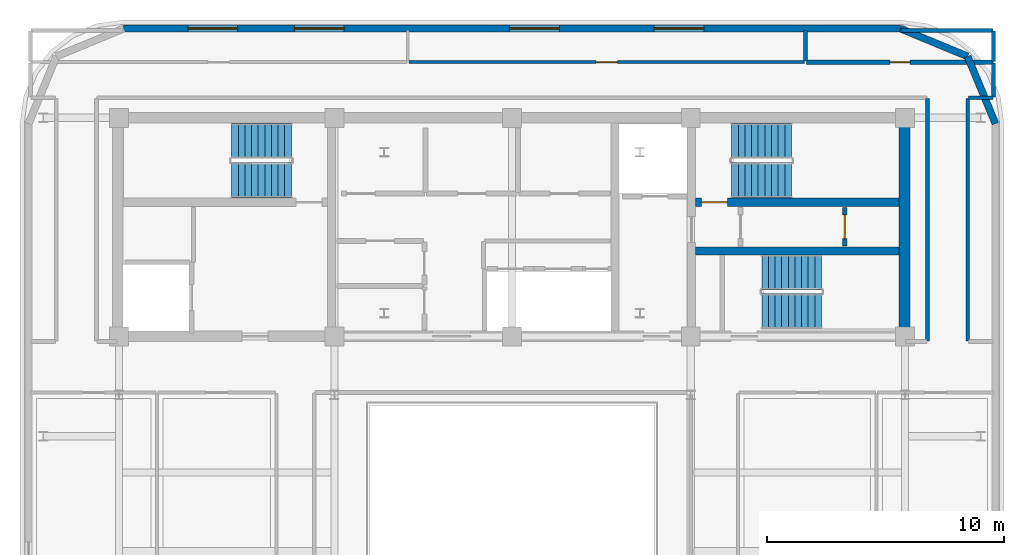
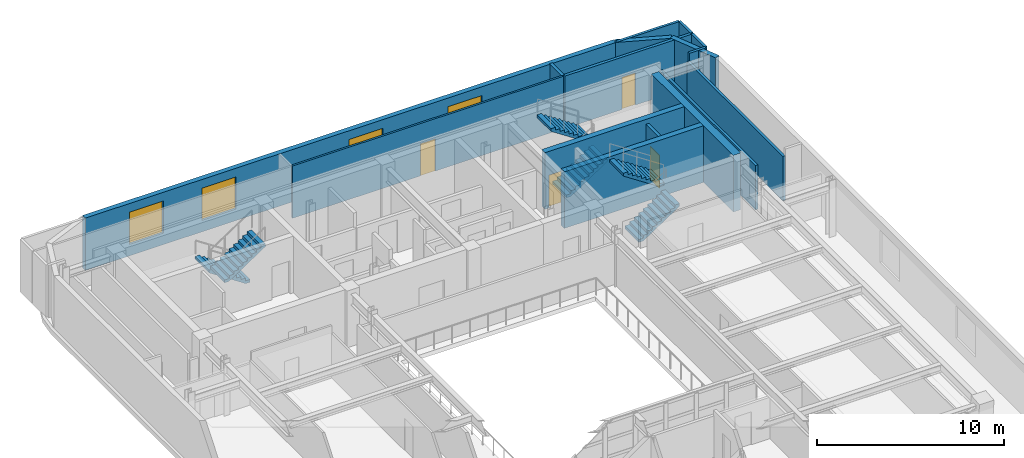
# One storey, part 9 of 12: 16 walls, 6 stair flights, 4 doors, 4 windows, 8 openings, 3 elements without a shape of their own.
"""IFC4 building model written with IfcOpenShell, lengths in metres."""

from ifc_helpers import new_model, si_unit, direction, frame, frame_2d, origin, place, context, subcontext, project, spatial, polyline, rectangle, outline, extrude, material, layer, layer_set, type_object, element, fill, aggregate, save


model = new_model("IFC4")

# Units and contexts
model_context = context("Model", 3, precision=1e-05, world=origin(), true_north=direction((0.0, 1.0)))
body_context = subcontext(model_context, "Body", "Model", "MODEL_VIEW")
ifc_project = project(units=[si_unit("LENGTHUNIT", "METRE"), si_unit("AREAUNIT", "SQUARE_METRE"), si_unit("VOLUMEUNIT", "CUBIC_METRE"), si_unit("PLANEANGLEUNIT", "RADIAN"), si_unit("MASSUNIT", "GRAM", prefix="KILO")], contexts=[model_context])

# Site, building, storey
site_placement = place(None, origin())
site = spatial("IfcSite", under=ifc_project, at=site_placement, CompositionType="ELEMENT")
building_placement = place(site_placement, origin())
building = spatial("IfcBuilding", under=site, at=building_placement, Name="Zarnavel Station Tower", CompositionType="ELEMENT")
storey_placement = place(building_placement, frame((0.0, 0.0, 265.800048828125)))
storey = spatial("IfcBuildingStorey", under=building, at=storey_placement, Name="L72", CompositionType="ELEMENT", Elevation=265.800048828125)

# Wall, opening, door
ifc_material_1 = material(Name="Concrete C50/60", Category="concrete")
ifc_layer_1 = layer(ifc_material_1, 0.35009765625)
ifc_layer_set_1 = layer_set([ifc_layer_1], Name="CW_350")
wall_type_1 = type_object("IfcWallType", Name="CW_350", PredefinedType="SHEAR", material=ifc_layer_set_1)
wall_1_placement = place(storey_placement, frame((45.155029296875, 33.47998046875, 0.0), z_axis=(0.0, 0.0, 1.0), x_axis=(-1.0, 0.0, 0.0)))
wall_1 = element("IfcWall", 1, at=wall_1_placement, inside=storey, type_object=wall_type_1, Name="L72 Rear Core Shear Wall DIV-H2", PredefinedType="SHEAR", context=body_context, shape_type="SweptSolid", body=[
    extrude(rectangle(XDim=8.60009765625, YDim=0.35009765625, at=frame_2d((4.300048828125, 0.0))), origin(), (0.0, 0.0, 1.0), 3.699951171875),
])
opening_1_placement = place(wall_1_placement, frame((7.2548828125, 0.0, 0.0)))
opening_1 = element("IfcOpeningElement", 2, at=opening_1_placement, cuts=wall_1, Name="Opening FD01", PredefinedType="OPENING", context=body_context, shape_type="SweptSolid", body=[
    extrude(rectangle(XDim=1.10009765625, YDim=2.14990234375, at=frame_2d((0.550048828125, 1.074951171875))), frame((0.0, 0.18505859375, 0.0), z_axis=(0.0, -1.0, 0.0), x_axis=(1.0, 0.0, 0.0)), (0.0, 0.0, 1.0), 0.3701171875),
])
ifc_material_2 = material(Name="Painted Galvanised Steel and Hardwood Leaf", Category="steel")
door_type_1 = type_object("IfcDoorType", Name="ID_STAIR_1100", OperationType="NOTDEFINED", PredefinedType="DOOR", material=ifc_material_2)
door_1_placement = place(opening_1_placement, origin())
door_1 = element("IfcDoor", 3, at=door_1_placement, inside=storey, type_object=door_type_1, Name="L72 Stair ST2 Lobby Fire Door", OperationType="SINGLE_SWING_RIGHT", OverallHeight=2.14990234375, OverallWidth=1.10009765625, PredefinedType="DOOR", context=body_context, shape_type="SweptSolid", body=[
    extrude(rectangle(XDim=1.10009765625, YDim=2.14990234375, at=frame_2d((0.550048828125, 1.074951171875))), frame((0.0, 0.02490234375, 0.0), z_axis=(0.0, -1.0, 0.0), x_axis=(1.0, 0.0, 0.0)), (0.0, 0.0, 1.0), 0.050048828125),
])
fill(opening_1, door_1)

# Walls
wall_2_placement = place(storey_placement, frame((36.554931640625, 31.419921875, 0.0), z_axis=(0.0, 0.0, 1.0), x_axis=(1.0, 0.0, 0.0)))
element("IfcWall", 4, at=wall_2_placement, inside=storey, type_object=wall_type_1, Name="L72 Rear Core Shear Wall DIV-H3", PredefinedType="SHEAR", context=body_context, shape_type="SweptSolid", body=[
    extrude(rectangle(XDim=8.60009765625, YDim=0.35009765625, at=frame_2d((4.300048828125, 0.0))), origin(), (0.0, 0.0, 1.0), 3.699951171875),
])
ifc_material_3 = material(Name="Concrete C50/60", Category="concrete")
ifc_layer_2 = layer(ifc_material_3, 0.449951171875)
ifc_layer_set_2 = layer_set([ifc_layer_2], Name="CW_450")
wall_type_2 = type_object("IfcWallType", Name="CW_450", PredefinedType="SHEAR", material=ifc_layer_set_2)
wall_3_placement = place(storey_placement, frame((45.3798828125, 28.044921875, 0.0), z_axis=(0.0, 0.0, 1.0), x_axis=(0.0, 1.0, 0.0)))
element("IfcWall", 5, at=wall_3_placement, inside=storey, type_object=wall_type_2, Name="L72 Rear Core Shear Wall E", PredefinedType="SHEAR", context=body_context, shape_type="SweptSolid", body=[
    extrude(rectangle(XDim=8.780029296875, YDim=0.449951171875, at=frame_2d((4.39013671875, 0.0))), origin(), (0.0, 0.0, 1.0), 3.699951171875),
])
ifc_material_4 = material(Name="Precast concrete C45/55 (Dark Basalt Finish)", Category="masonry")
ifc_layer_3 = layer(ifc_material_4, 0.300048828125)
ifc_layer_set_3 = layer_set([ifc_layer_3], Name="EW_BASALT_300")
wall_type_3 = type_object("IfcWallType", Name="EW_BASALT_300", PredefinedType="SOLIDWALL", material=ifc_layer_set_3)
for number, where, z_axis, x_axis, name in (
    (6, (48.04248046875, 39.642578125, 0.0), (0.0, 0.0, 1.0), (0.382704529509, -0.923870793506, 0.0), "L72 Exterior Basalt Masonry Frame Wall 04"),
    (7, (45.199951171875, 40.820068359375, 0.0), (0.0, 0.0, 1.0), (0.923870793506, -0.382704529509, 0.0), "L72 Exterior Basalt Masonry Frame Wall 05"),
):
    element("IfcWall", number, at=place(storey_placement, frame(where, z_axis=z_axis, x_axis=x_axis)), inside=storey, type_object=wall_type_3, Name=name, PredefinedType="SOLIDWALL", context=body_context, shape_type="SweptSolid", body=[
        extrude(rectangle(XDim=3.07666015625, YDim=0.300048828125, at=frame_2d((1.538330078125, 0.0))), origin(), (0.0, 0.0, 1.0), 3.419921875),
    ])

# Wall, openings, windows
wall_4_placement = place(storey_placement, frame((12.39990234375, 40.820068359375, 0.0), z_axis=(0.0, 0.0, 1.0), x_axis=(1.0, 0.0, 0.0)))
wall_4 = element("IfcWall", 8, at=wall_4_placement, inside=storey, type_object=wall_type_3, Name="L72 Exterior Basalt Masonry Frame Wall 06", PredefinedType="SOLIDWALL", context=body_context, shape_type="SweptSolid", body=[
    extrude(rectangle(XDim=32.800048828125, YDim=0.300048828125, at=frame_2d((16.39990234375, 0.0))), origin(), (0.0, 0.0, 1.0), 3.419921875),
])
opening_2_placement = place(wall_4_placement, frame((2.71337890625, 0.0, 0.75)))
opening_2 = element("IfcOpeningElement", 9, at=opening_2_placement, cuts=wall_4, Name="Opening WN05", PredefinedType="OPENING", context=body_context, shape_type="SweptSolid", body=[
    extrude(rectangle(XDim=2.10009765625, YDim=2.10009765625, at=frame_2d((1.050048828125, 1.050048828125))), frame((0.0, 0.159912109375, 0.0), z_axis=(0.0, -1.0, 0.0), x_axis=(1.0, 0.0, 0.0)), (0.0, 0.0, 1.0), 0.320068359375),
])
opening_3_placement = place(wall_4_placement, frame((7.206787109375, 0.0, 0.75)))
opening_3 = element("IfcOpeningElement", 10, at=opening_3_placement, cuts=wall_4, Name="Opening WN05", PredefinedType="OPENING", context=body_context, shape_type="SweptSolid", body=[
    extrude(rectangle(XDim=2.10009765625, YDim=2.10009765625, at=frame_2d((1.050048828125, 1.050048828125))), frame((0.0, 0.159912109375, 0.0), z_axis=(0.0, -1.0, 0.0), x_axis=(1.0, 0.0, 0.0)), (0.0, 0.0, 1.0), 0.320068359375),
])
opening_4_placement = place(wall_4_placement, frame((16.300048828125, 0.0, 0.75)))
opening_4 = element("IfcOpeningElement", 11, at=opening_4_placement, cuts=wall_4, Name="Opening WN05", PredefinedType="OPENING", context=body_context, shape_type="SweptSolid", body=[
    extrude(rectangle(XDim=2.10009765625, YDim=2.10009765625, at=frame_2d((1.050048828125, 1.050048828125))), frame((0.0, 0.159912109375, 0.0), z_axis=(0.0, -1.0, 0.0), x_axis=(1.0, 0.0, 0.0)), (0.0, 0.0, 1.0), 0.320068359375),
])
opening_5_placement = place(wall_4_placement, frame((22.39990234375, 0.0, 0.75)))
opening_5 = element("IfcOpeningElement", 12, at=opening_5_placement, cuts=wall_4, Name="Opening WN05", PredefinedType="OPENING", context=body_context, shape_type="SweptSolid", body=[
    extrude(rectangle(XDim=2.10009765625, YDim=2.10009765625, at=frame_2d((1.050048828125, 1.050048828125))), frame((0.0, 0.159912109375, 0.0), z_axis=(0.0, -1.0, 0.0), x_axis=(1.0, 0.0, 0.0)), (0.0, 0.0, 1.0), 0.320068359375),
])
ifc_material_5 = material(Name="Thermally Broken Black Aluminium and Low-E Dark Glass", Category="aluminium")
window_type = type_object("IfcWindowType", Name="WN_2100x2100", PartitioningType="TRIPLE_PANEL_VERTICAL", PredefinedType="WINDOW", material=ifc_material_5)
window_1_placement = place(opening_2_placement, origin())
window_1 = element("IfcWindow", 13, at=window_1_placement, inside=storey, type_object=window_type, Name="L72 Recessed Facade Window 01", OverallHeight=2.10009765625, OverallWidth=2.10009765625, PartitioningType="SINGLE_PANEL", PredefinedType="WINDOW", context=body_context, shape_type="SweptSolid", body=[
    extrude(rectangle(XDim=2.10009765625, YDim=2.10009765625, at=frame_2d((1.050048828125, 1.050048828125))), frame((0.0, 0.030029296875, 0.0), z_axis=(0.0, -1.0, 0.0), x_axis=(1.0, 0.0, 0.0)), (0.0, 0.0, 1.0), 0.06005859375),
])
fill(opening_2, window_1)
window_2_placement = place(opening_3_placement, origin())
window_2 = element("IfcWindow", 14, at=window_2_placement, inside=storey, type_object=window_type, Name="L72 Recessed Facade Window 02", OverallHeight=2.10009765625, OverallWidth=2.10009765625, PartitioningType="SINGLE_PANEL", PredefinedType="WINDOW", context=body_context, shape_type="SweptSolid", body=[
    extrude(rectangle(XDim=2.10009765625, YDim=2.10009765625, at=frame_2d((1.050048828125, 1.050048828125))), frame((0.0, 0.030029296875, 0.0), z_axis=(0.0, -1.0, 0.0), x_axis=(1.0, 0.0, 0.0)), (0.0, 0.0, 1.0), 0.06005859375),
])
fill(opening_3, window_2)
window_3_placement = place(opening_4_placement, origin())
window_3 = element("IfcWindow", 15, at=window_3_placement, inside=storey, type_object=window_type, Name="L72 Recessed Facade Window 03", OverallHeight=2.10009765625, OverallWidth=2.10009765625, PartitioningType="SINGLE_PANEL", PredefinedType="WINDOW", context=body_context, shape_type="SweptSolid", body=[
    extrude(rectangle(XDim=2.10009765625, YDim=2.10009765625, at=frame_2d((1.050048828125, 1.050048828125))), frame((0.0, 0.030029296875, 0.0), z_axis=(0.0, -1.0, 0.0), x_axis=(1.0, 0.0, 0.0)), (0.0, 0.0, 1.0), 0.06005859375),
])
fill(opening_4, window_3)
window_4_placement = place(opening_5_placement, origin())
window_4 = element("IfcWindow", 16, at=window_4_placement, inside=storey, type_object=window_type, Name="L72 Recessed Facade Window 04", OverallHeight=2.10009765625, OverallWidth=2.10009765625, PartitioningType="SINGLE_PANEL", PredefinedType="WINDOW", context=body_context, shape_type="SweptSolid", body=[
    extrude(rectangle(XDim=2.10009765625, YDim=2.10009765625, at=frame_2d((1.050048828125, 1.050048828125))), frame((0.0, 0.030029296875, 0.0), z_axis=(0.0, -1.0, 0.0), x_axis=(1.0, 0.0, 0.0)), (0.0, 0.0, 1.0), 0.06005859375),
])
fill(opening_5, window_4)

# Walls
ifc_material_6 = material(Name="Gypsum Twin-Stud Acoustic Fire Partition", Category="concrete")
ifc_layer_4 = layer(ifc_material_6, 0.159912109375)
ifc_layer_set_4 = layer_set([ifc_layer_4], Name="PT_DEMISE_160")
wall_type_4 = type_object("IfcWallType", Name="PT_DEMISE_160", PredefinedType="PARTITIONING", material=ifc_layer_set_4)
for number, where, z_axis, x_axis, name in (
    (17, (46.35009765625, 27.6298828125, 0.0), (0.0, 0.0, 1.0), (0.0, 1.0, 0.0), "L72 Enclosure Wall COR-E"),
    (18, (48.050048828125, 27.6298828125, 0.0), (0.0, 0.0, 1.0), (0.0, 1.0, 0.0), "L72 Enclosure Wall COR-E"),
):
    element("IfcWall", number, at=place(storey_placement, frame(where, z_axis=z_axis, x_axis=x_axis)), inside=storey, type_object=wall_type_4, Name=name, PredefinedType="PARTITIONING", context=body_context, shape_type="SweptSolid", body=[
        extrude(rectangle(XDim=10.240234375, YDim=0.159912109375, at=frame_2d((5.1201171875, 0.0))), origin(), (0.0, 0.0, 1.0), 2.89990234375),
    ])
wall_5_placement = place(storey_placement, frame((48.080078125, 37.89990234375, 0.0), z_axis=(0.0, 0.0, 1.0), x_axis=(1.0, 0.0, 0.0)))
element("IfcWall", 19, at=wall_5_placement, inside=storey, type_object=wall_type_4, Name="L72 Enclosure Wall COR-N", PredefinedType="PARTITIONING", context=body_context, shape_type="SweptSolid", body=[
    extrude(rectangle(XDim=1.030029296875, YDim=0.159912109375, at=frame_2d((0.51513671875, 0.0))), origin(), (0.0, 0.0, 1.0), 3.419921875),
])
wall_6_placement = place(storey_placement, frame((49.139892578125, 37.929931640625, 0.0), z_axis=(0.0, 0.0, 1.0), x_axis=(0.0, 1.0, 0.0)))
element("IfcWall", 20, at=wall_6_placement, inside=storey, type_object=wall_type_4, Name="L72 Enclosure Wall COR-N", PredefinedType="PARTITIONING", context=body_context, shape_type="SweptSolid", body=[
    extrude(rectangle(XDim=1.440185546875, YDim=0.159912109375, at=frame_2d((0.72021484375, 0.0))), origin(), (0.0, 0.0, 1.0), 3.419921875),
])
wall_7_placement = place(storey_placement, frame((45.22998046875, 40.739990234375, 0.0), z_axis=(0.0, 0.0, 1.0), x_axis=(1.0, 0.0, 0.0)))
element("IfcWall", 21, at=wall_7_placement, inside=storey, type_object=wall_type_4, Name="L72 Enclosure Wall NWC", PredefinedType="PARTITIONING", context=body_context, shape_type="SweptSolid", body=[
    extrude(rectangle(XDim=3.880126953125, YDim=0.159912109375, at=frame_2d((1.93994140625, 0.0))), origin(), (0.0, 0.0, 1.0), 3.419921875),
])
wall_8_placement = place(storey_placement, frame((49.139892578125, 39.429931640625, 0.0), z_axis=(0.0, 0.0, 1.0), x_axis=(0.0, 1.0, 0.0)))
element("IfcWall", 22, at=wall_8_placement, inside=storey, type_object=wall_type_4, Name="L72 Enclosure Wall NWC", PredefinedType="PARTITIONING", context=body_context, shape_type="SweptSolid", body=[
    extrude(rectangle(XDim=1.280029296875, YDim=0.159912109375, at=frame_2d((0.64013671875, 0.0))), origin(), (0.0, 0.0, 1.0), 3.419921875),
])

# Wall, opening, door
ifc_material_7 = material(Name="Gypsum Metal-Stud Interior Partition", Category="concrete")
ifc_layer_5 = layer(ifc_material_7, 0.1201171875)
ifc_layer_set_5 = layer_set([ifc_layer_5], Name="PT_ROOM_120")
wall_type_5 = type_object("IfcWallType", Name="PT_ROOM_120", PredefinedType="PARTITIONING", material=ifc_layer_set_5)
wall_9_placement = place(storey_placement, frame((24.43994140625, 39.39990234375, 0.0), z_axis=(0.0, 0.0, 1.0), x_axis=(1.0, 0.0, 0.0)))
wall_9 = element("IfcWall", 23, at=wall_9_placement, inside=storey, type_object=wall_type_5, Name="L72 Partition COR-N-NSPA", PredefinedType="PARTITIONING", context=body_context, shape_type="SweptSolid", body=[
    extrude(rectangle(XDim=16.719970703125, YDim=0.1201171875, at=frame_2d((8.35986328125, 0.0))), origin(), (0.0, 0.0, 1.0), 3.419921875),
])
opening_6_placement = place(wall_9_placement, frame((7.909912109375, 0.0, 0.0)))
opening_6 = element("IfcOpeningElement", 24, at=opening_6_placement, cuts=wall_9, Name="Opening ID01", PredefinedType="OPENING", context=body_context, shape_type="SweptSolid", body=[
    extrude(rectangle(XDim=0.89990234375, YDim=2.10009765625, at=frame_2d((0.449951171875, 1.050048828125))), frame((0.0, 0.070068359375, 0.0), z_axis=(0.0, -1.0, 0.0), x_axis=(1.0, 0.0, 0.0)), (0.0, 0.0, 1.0), 0.14013671875),
])
ifc_material_8 = material(Name="Painted Galvanised Steel and Hardwood Leaf", Category="steel")
door_type_2 = type_object("IfcDoorType", Name="ID_ROOM_900", OperationType="NOTDEFINED", PredefinedType="DOOR", material=ifc_material_8)
door_2_placement = place(opening_6_placement, origin())
door_2 = element("IfcDoor", 25, at=door_2_placement, inside=storey, type_object=door_type_2, Name="L72 Door COR-N-NSPA", OperationType="SINGLE_SWING_RIGHT", OverallHeight=2.10009765625, OverallWidth=0.89990234375, PredefinedType="DOOR", context=body_context, shape_type="SweptSolid", body=[
    extrude(rectangle(XDim=0.89990234375, YDim=2.10009765625, at=frame_2d((0.449951171875, 1.050048828125))), frame((0.0, 0.02490234375, 0.0), z_axis=(0.0, -1.0, 0.0), x_axis=(1.0, 0.0, 0.0)), (0.0, 0.0, 1.0), 0.050048828125),
])
fill(opening_6, door_2)

ifc_material_9 = material(Name="Precast concrete C45/55 (Fire Shaft Blockwork)", Category="masonry")
ifc_layer_6 = layer(ifc_material_9, 0.199951171875)
ifc_layer_set_6 = layer_set([ifc_layer_6], Name="PT_SHAFT_200")
wall_type_6 = type_object("IfcWallType", Name="PT_SHAFT_200", PredefinedType="PARTITIONING", material=ifc_layer_set_6)
wall_10_placement = place(storey_placement, frame((42.85009765625, 31.639892578125, 0.0), z_axis=(0.0, 0.0, 1.0), x_axis=(0.0, 1.0, 0.0)))
wall_10 = element("IfcWall", 26, at=wall_10_placement, inside=storey, type_object=wall_type_6, Name="L72 Partition CEA-CEB", PredefinedType="PARTITIONING", context=body_context, shape_type="SweptSolid", body=[
    extrude(rectangle(XDim=1.6201171875, YDim=0.199951171875, at=frame_2d((0.81005859375, 0.0))), origin(), (0.0, 0.0, 1.0), 3.419921875),
])
opening_7_placement = place(wall_10_placement, frame((0.31005859375, 0.0, 0.0)))
opening_7 = element("IfcOpeningElement", 27, at=opening_7_placement, cuts=wall_10, Name="Opening FD02", PredefinedType="OPENING", context=body_context, shape_type="SweptSolid", body=[
    extrude(rectangle(XDim=1.0, YDim=2.14990234375, at=frame_2d((0.5, 1.074951171875))), frame((0.0, 0.10986328125, 0.0), z_axis=(0.0, -1.0, 0.0), x_axis=(1.0, 0.0, 0.0)), (0.0, 0.0, 1.0), 0.219970703125),
])
ifc_material_10 = material(Name="Painted Galvanised Steel and Hardwood Leaf", Category="steel")
door_type_3 = type_object("IfcDoorType", Name="ID_ENTRY_1000", OperationType="NOTDEFINED", PredefinedType="DOOR", material=ifc_material_10)
door_3_placement = place(opening_7_placement, origin())
door_3 = element("IfcDoor", 28, at=door_3_placement, inside=storey, type_object=door_type_3, Name="L72 Door CEA-CEB", OperationType="SINGLE_SWING_RIGHT", OverallHeight=2.14990234375, OverallWidth=1.0, PredefinedType="DOOR", context=body_context, shape_type="SweptSolid", body=[
    extrude(rectangle(XDim=1.0, YDim=2.14990234375, at=frame_2d((0.5, 1.074951171875))), frame((0.0, 0.02490234375, 0.0), z_axis=(0.0, -1.0, 0.0), x_axis=(1.0, 0.0, 0.0)), (0.0, 0.0, 1.0), 0.050048828125),
])
fill(opening_7, door_3)

ifc_material_11 = material(Name="Moisture-Resistant Plumbing Chase Wall", Category="concrete")
ifc_layer_7 = layer(ifc_material_11, 0.179931640625)
ifc_layer_set_7 = layer_set([ifc_layer_7], Name="PW_PLUMB_180")
wall_type_7 = type_object("IfcWallType", Name="PW_PLUMB_180", PredefinedType="PLUMBINGWALL", material=ifc_layer_set_7)
wall_11_placement = place(storey_placement, frame((41.239990234375, 39.39990234375, 0.0), z_axis=(0.0, 0.0, 1.0), x_axis=(1.0, 0.0, 0.0)))
wall_11 = element("IfcWall", 29, at=wall_11_placement, inside=storey, type_object=wall_type_7, Name="L72 Partition COR-N-NWC", PredefinedType="PLUMBINGWALL", context=body_context, shape_type="SweptSolid", body=[
    extrude(rectangle(XDim=7.89990234375, YDim=0.179931640625, at=frame_2d((3.949951171875, 0.0))), origin(), (0.0, 0.0, 1.0), 3.419921875),
])
opening_8_placement = place(wall_11_placement, frame((3.52490234375, 0.0, 0.0)))
opening_8 = element("IfcOpeningElement", 30, at=opening_8_placement, cuts=wall_11, Name="Opening ID02", PredefinedType="OPENING", context=body_context, shape_type="SweptSolid", body=[
    extrude(rectangle(XDim=0.85009765625, YDim=2.10009765625, at=frame_2d((0.425048828125, 1.050048828125))), frame((0.0, 0.099853515625, 0.0), z_axis=(0.0, -1.0, 0.0), x_axis=(1.0, 0.0, 0.0)), (0.0, 0.0, 1.0), 0.199951171875),
])
ifc_material_12 = material(Name="Painted Galvanised Steel and Hardwood Leaf", Category="steel")
door_type_4 = type_object("IfcDoorType", Name="ID_BATH_850", OperationType="NOTDEFINED", PredefinedType="DOOR", material=ifc_material_12)
door_4_placement = place(opening_8_placement, origin())
door_4 = element("IfcDoor", 31, at=door_4_placement, inside=storey, type_object=door_type_4, Name="L72 Door COR-N-NWC", OperationType="SINGLE_SWING_LEFT", OverallHeight=2.10009765625, OverallWidth=0.85009765625, PredefinedType="DOOR", context=body_context, shape_type="SweptSolid", body=[
    extrude(rectangle(XDim=0.85009765625, YDim=2.10009765625, at=frame_2d((0.425048828125, 1.050048828125))), frame((0.0, 0.02490234375, 0.0), z_axis=(0.0, -1.0, 0.0), x_axis=(1.0, 0.0, 0.0)), (0.0, 0.0, 1.0), 0.050048828125),
])
fill(opening_8, door_4)

# Wall
wall_12_placement = place(storey_placement, frame((41.199951171875, 39.43994140625, 0.0), z_axis=(0.0, 0.0, 1.0), x_axis=(0.0, 1.0, 0.0)))
element("IfcWall", 32, at=wall_12_placement, inside=storey, type_object=wall_type_7, Name="L72 Partition NSPA-NWC", PredefinedType="PLUMBINGWALL", context=body_context, shape_type="SweptSolid", body=[
    extrude(rectangle(XDim=1.300048828125, YDim=0.179931640625, at=frame_2d((0.64990234375, 0.0))), origin(), (0.0, 0.0, 1.0), 3.419921875),
])

# Stair, stair flights
ifc_material_13 = material(Name="Concrete C45/55", Category="concrete")
stair_type = type_object("IfcStairType", Name="ST_CORE_150", PredefinedType="HALF_TURN_STAIR", material=ifc_material_13)
stair_1_placement = place(storey_placement, origin())
stair_1 = element("IfcStair", 33, at=stair_1_placement, inside=storey, type_object=stair_type, Name="L72 Core Exit Stair ST1", PredefinedType="HALF_TURN_STAIR")
ifc_material_14 = material(Name="Concrete C45/55", Category="concrete")
ifc_layer_8 = layer(ifc_material_14, 0.179931640625)
ifc_layer_set_8 = layer_set([ifc_layer_8], Name="ST_CORE_150_FLT")
stair_flight_type = type_object("IfcStairFlightType", Name="ST_CORE_150_FLT", PredefinedType="STRAIGHT", material=ifc_layer_set_8)
stair_flight_1_placement = place(storey_placement, frame((19.47998046875, 36.070068359375, 0.0), z_axis=(0.0, 0.0, 1.0), x_axis=(-1.0, 0.0, 0.0)))
stair_flight_1 = element("IfcStairFlight", 34, at=stair_flight_1_placement, type_object=stair_flight_type, Name="ST1 flight 1", NumberOfRisers=10, NumberOfTreads=9, PredefinedType="STRAIGHT", RiserHeight=0.185, TreadLength=0.28, context=body_context, shape_type="SweptSolid", body=[
    extrude(outline(polyline([(0.0, 0.0), (0.0, 0.18505859375), (0.280029296875, 0.18505859375), (0.280029296875, 0.3701171875), (0.56005859375, 0.3701171875), (0.56005859375, 0.554931640625), (0.840087890625, 0.554931640625), (0.840087890625, 0.739990234375), (1.1201171875, 0.739990234375), (1.1201171875, 0.925048828125), (1.39990234375, 0.925048828125), (1.39990234375, 1.110107421875), (1.679931640625, 1.110107421875), (1.679931640625, 1.294921875), (1.9599609375, 1.294921875), (1.9599609375, 1.47998046875), (2.239990234375, 1.47998046875), (2.239990234375, 1.6650390625), (2.52001953125, 1.6650390625), (2.52001953125, 1.85009765625), (2.52001953125, 1.4853515625), (0.27197265625, 0.0), (0.0, 0.0)])), frame((0.0, 0.75, 0.0), z_axis=(0.0, -1.0, 0.0), x_axis=(1.0, 0.0, 0.0)), (0.0, 0.0, 1.0), 1.5),
])
stair_flight_2_placement = place(storey_placement, frame((16.9599609375, 34.409912109375, 1.849853515625), z_axis=(0.0, 0.0, 1.0), x_axis=(1.0, 0.0, 0.0)))
stair_flight_2 = element("IfcStairFlight", 35, at=stair_flight_2_placement, type_object=stair_flight_type, Name="ST1 flight 2", NumberOfRisers=10, NumberOfTreads=9, PredefinedType="STRAIGHT", RiserHeight=0.185, TreadLength=0.28, context=body_context, shape_type="SweptSolid", body=[
    extrude(outline(polyline([(0.0, 0.0), (0.0, 0.18505859375), (0.280029296875, 0.18505859375), (0.280029296875, 0.3701171875), (0.56005859375, 0.3701171875), (0.56005859375, 0.554931640625), (0.840087890625, 0.554931640625), (0.840087890625, 0.739990234375), (1.1201171875, 0.739990234375), (1.1201171875, 0.925048828125), (1.39990234375, 0.925048828125), (1.39990234375, 1.110107421875), (1.679931640625, 1.110107421875), (1.679931640625, 1.294921875), (1.9599609375, 1.294921875), (1.9599609375, 1.47998046875), (2.239990234375, 1.47998046875), (2.239990234375, 1.6650390625), (2.52001953125, 1.6650390625), (2.52001953125, 1.85009765625), (2.52001953125, 1.4853515625), (0.27197265625, 0.0), (0.0, 0.0)])), frame((0.0, 0.75, 0.0), z_axis=(0.0, -1.0, 0.0), x_axis=(1.0, 0.0, 0.0)), (0.0, 0.0, 1.0), 1.5),
])
aggregate(stair_1, [stair_flight_1, stair_flight_2])

stair_2_placement = place(storey_placement, origin())
stair_2 = element("IfcStair", 36, at=stair_2_placement, inside=storey, type_object=stair_type, Name="L72 Core Exit Stair ST2", PredefinedType="HALF_TURN_STAIR")
stair_flight_3_placement = place(storey_placement, frame((38.080078125, 34.409912109375, 0.0), z_axis=(0.0, 0.0, 1.0), x_axis=(1.0, 0.0, 0.0)))
stair_flight_3 = element("IfcStairFlight", 37, at=stair_flight_3_placement, type_object=stair_flight_type, Name="ST2 flight 1", NumberOfRisers=10, NumberOfTreads=9, PredefinedType="STRAIGHT", RiserHeight=0.185, TreadLength=0.28, context=body_context, shape_type="SweptSolid", body=[
    extrude(outline(polyline([(0.0, 0.0), (0.0, 0.18505859375), (0.280029296875, 0.18505859375), (0.280029296875, 0.3701171875), (0.56005859375, 0.3701171875), (0.56005859375, 0.554931640625), (0.840087890625, 0.554931640625), (0.840087890625, 0.739990234375), (1.1201171875, 0.739990234375), (1.1201171875, 0.925048828125), (1.39990234375, 0.925048828125), (1.39990234375, 1.110107421875), (1.679931640625, 1.110107421875), (1.679931640625, 1.294921875), (1.9599609375, 1.294921875), (1.9599609375, 1.47998046875), (2.239990234375, 1.47998046875), (2.239990234375, 1.6650390625), (2.52001953125, 1.6650390625), (2.52001953125, 1.85009765625), (2.52001953125, 1.4853515625), (0.27197265625, 0.0), (0.0, 0.0)])), frame((0.0, 0.75, 0.0), z_axis=(0.0, -1.0, 0.0), x_axis=(1.0, 0.0, 0.0)), (0.0, 0.0, 1.0), 1.5),
])
stair_flight_4_placement = place(storey_placement, frame((40.60009765625, 36.070068359375, 1.849853515625), z_axis=(0.0, 0.0, 1.0), x_axis=(-1.0, 0.0, 0.0)))
stair_flight_4 = element("IfcStairFlight", 38, at=stair_flight_4_placement, type_object=stair_flight_type, Name="ST2 flight 2", NumberOfRisers=10, NumberOfTreads=9, PredefinedType="STRAIGHT", RiserHeight=0.185, TreadLength=0.28, context=body_context, shape_type="SweptSolid", body=[
    extrude(outline(polyline([(0.0, 0.0), (0.0, 0.18505859375), (0.280029296875, 0.18505859375), (0.280029296875, 0.3701171875), (0.56005859375, 0.3701171875), (0.56005859375, 0.554931640625), (0.840087890625, 0.554931640625), (0.840087890625, 0.739990234375), (1.1201171875, 0.739990234375), (1.1201171875, 0.925048828125), (1.39990234375, 0.925048828125), (1.39990234375, 1.110107421875), (1.679931640625, 1.110107421875), (1.679931640625, 1.294921875), (1.9599609375, 1.294921875), (1.9599609375, 1.47998046875), (2.239990234375, 1.47998046875), (2.239990234375, 1.6650390625), (2.52001953125, 1.6650390625), (2.52001953125, 1.85009765625), (2.52001953125, 1.4853515625), (0.27197265625, 0.0), (0.0, 0.0)])), frame((0.0, 0.75, 0.0), z_axis=(0.0, -1.0, 0.0), x_axis=(1.0, 0.0, 0.0)), (0.0, 0.0, 1.0), 1.5),
])
aggregate(stair_2, [stair_flight_3, stair_flight_4])

stair_3_placement = place(storey_placement, origin())
stair_3 = element("IfcStair", 39, at=stair_3_placement, inside=storey, type_object=stair_type, Name="L72 Core Exit Stair ST3", PredefinedType="HALF_TURN_STAIR")
stair_flight_5_placement = place(storey_placement, frame((39.35009765625, 28.8701171875, 0.0), z_axis=(0.0, 0.0, 1.0), x_axis=(1.0, 0.0, 0.0)))
stair_flight_5 = element("IfcStairFlight", 40, at=stair_flight_5_placement, type_object=stair_flight_type, Name="ST3 flight 1", NumberOfRisers=10, NumberOfTreads=9, PredefinedType="STRAIGHT", RiserHeight=0.185, TreadLength=0.28, context=body_context, shape_type="SweptSolid", body=[
    extrude(outline(polyline([(0.0, 0.0), (0.0, 0.18505859375), (0.280029296875, 0.18505859375), (0.280029296875, 0.3701171875), (0.56005859375, 0.3701171875), (0.56005859375, 0.554931640625), (0.840087890625, 0.554931640625), (0.840087890625, 0.739990234375), (1.1201171875, 0.739990234375), (1.1201171875, 0.925048828125), (1.39990234375, 0.925048828125), (1.39990234375, 1.110107421875), (1.679931640625, 1.110107421875), (1.679931640625, 1.294921875), (1.9599609375, 1.294921875), (1.9599609375, 1.47998046875), (2.239990234375, 1.47998046875), (2.239990234375, 1.6650390625), (2.52001953125, 1.6650390625), (2.52001953125, 1.85009765625), (2.52001953125, 1.4853515625), (0.27197265625, 0.0), (0.0, 0.0)])), frame((0.0, 0.75, 0.0), z_axis=(0.0, -1.0, 0.0), x_axis=(1.0, 0.0, 0.0)), (0.0, 0.0, 1.0), 1.5),
])
stair_flight_6_placement = place(storey_placement, frame((41.8701171875, 30.530029296875, 1.849853515625), z_axis=(0.0, 0.0, 1.0), x_axis=(-1.0, 0.0, 0.0)))
stair_flight_6 = element("IfcStairFlight", 41, at=stair_flight_6_placement, type_object=stair_flight_type, Name="ST3 flight 2", NumberOfRisers=10, NumberOfTreads=9, PredefinedType="STRAIGHT", RiserHeight=0.185, TreadLength=0.28, context=body_context, shape_type="SweptSolid", body=[
    extrude(outline(polyline([(0.0, 0.0), (0.0, 0.18505859375), (0.280029296875, 0.18505859375), (0.280029296875, 0.3701171875), (0.56005859375, 0.3701171875), (0.56005859375, 0.554931640625), (0.840087890625, 0.554931640625), (0.840087890625, 0.739990234375), (1.1201171875, 0.739990234375), (1.1201171875, 0.925048828125), (1.39990234375, 0.925048828125), (1.39990234375, 1.110107421875), (1.679931640625, 1.110107421875), (1.679931640625, 1.294921875), (1.9599609375, 1.294921875), (1.9599609375, 1.47998046875), (2.239990234375, 1.47998046875), (2.239990234375, 1.6650390625), (2.52001953125, 1.6650390625), (2.52001953125, 1.85009765625), (2.52001953125, 1.4853515625), (0.27197265625, 0.0), (0.0, 0.0)])), frame((0.0, 0.75, 0.0), z_axis=(0.0, -1.0, 0.0), x_axis=(1.0, 0.0, 0.0)), (0.0, 0.0, 1.0), 1.5),
])
aggregate(stair_3, [stair_flight_5, stair_flight_6])

save(model, "model.ifc")
